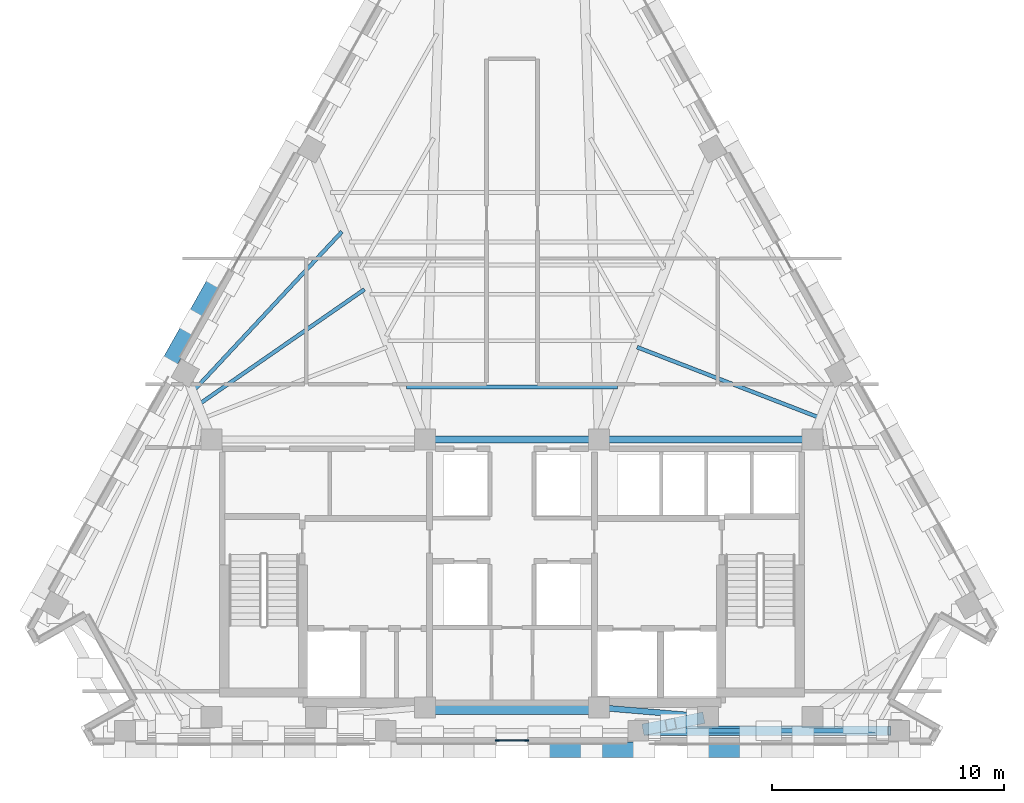
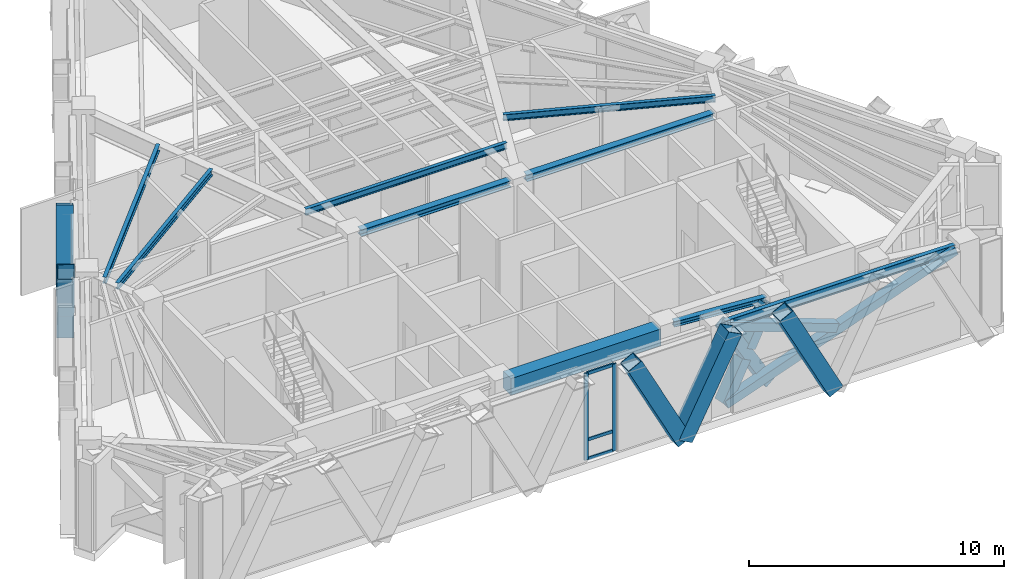
# One storey, part 2 of 11: 15 members, 9 beams, 1 element without a shape of its own.
"""IFC4 building model written with IfcOpenShell, lengths in metres."""

from ifc_helpers import new_model, si_unit, direction, frame, origin, origin_2d, place, context, subcontext, project, spatial, rectangle, hollow_rectangle, i_section, extrude, material, material_profile, profile_set, type_object, element, aggregate, save


model = new_model("IFC4")

# Units and contexts
model_context = context("Model", 3, precision=1e-05, world=origin(), true_north=direction((0.0, 1.0)))
body_context = subcontext(model_context, "Body", "Model", "MODEL_VIEW")
ifc_project = project(units=[si_unit("LENGTHUNIT", "METRE"), si_unit("AREAUNIT", "SQUARE_METRE"), si_unit("VOLUMEUNIT", "CUBIC_METRE"), si_unit("PLANEANGLEUNIT", "RADIAN"), si_unit("MASSUNIT", "GRAM", prefix="KILO")], contexts=[model_context])

# Site, building, storey
site_placement = place(None, origin())
site = spatial("IfcSite", under=ifc_project, at=site_placement, CompositionType="ELEMENT")
building_placement = place(site_placement, origin())
building = spatial("IfcBuilding", under=site, at=building_placement, Name="Quenlor Broadcast Tower", CompositionType="ELEMENT")
storey_placement = place(building_placement, frame((0.0, 0.0, 179.0)))
storey = spatial("IfcBuildingStorey", under=building, at=storey_placement, Name="L49", CompositionType="ELEMENT", Elevation=179.0)

# Members
ifc_material_1 = material(Name="Steel S355", Category="steel")
ifc_material_profile_1 = material_profile(ifc_material_1, hollow_rectangle(XDim=0.39990234375, YDim=0.39990234375, WallThickness=0.02197265625, at=origin_2d()))
ifc_profile_set_1 = profile_set([ifc_material_profile_1], Name="Steel S355 RHS400x400x22")
member_type_1 = type_object("IfcMemberType", Name="Belt Truss Diagonal Chord Steel S355 RHS400x22", PredefinedType="CHORD", material=ifc_profile_set_1)
member_1_placement = place(storey_placement, frame((5.85791015625, -17.35009765625, 0.199951171875), z_axis=(0.941269972622, 0.0, 0.337654910583), x_axis=(0.0, 1.0, 0.0)))
element("IfcMember", 1, at=member_1_placement, inside=storey, type_object=member_type_1, Name="L49 Belt Truss Continuous Chord 3A", PredefinedType="CHORD", context=body_context, shape_type="SweptSolid", body=[
    extrude(hollow_rectangle(XDim=0.39990234375, YDim=0.39990234375, WallThickness=0.02197265625, at=origin_2d()), origin(), (0.0, 0.0, 1.0), 11.046630859375),
])
member_2_placement = place(storey_placement, frame((5.85791015625, -17.35009765625, 3.929931640625), z_axis=(0.941270791113, 0.0, -0.337652628891), x_axis=(0.0, 1.0, 0.0)))
element("IfcMember", 2, at=member_2_placement, inside=storey, type_object=member_type_1, Name="L49 Belt Truss Split Chord 3B1", PredefinedType="CHORD", context=body_context, shape_type="SweptSolid", body=[
    extrude(hollow_rectangle(XDim=0.39990234375, YDim=0.39990234375, WallThickness=0.02197265625, at=origin_2d()), origin(), (0.0, 0.0, 1.0), 5.333251953125),
])

# Curtain wall, members
ifc_material_2 = material(Name="Architectural Terracotta and Low-E Glazing", Category="masonry")
curtain_wall_type = type_object("IfcCurtainWallType", Name="Unitised Terracotta Curtain Wall System Z4", PredefinedType="NOTDEFINED", material=ifc_material_2)
curtain_wall_placement = place(storey_placement, origin())
curtain_wall = element("IfcCurtainWall", 3, at=curtain_wall_placement, inside=storey, type_object=curtain_wall_type, Name="L49 Curtain Wall CW4 (L49-S-G1)", PredefinedType="NOTDEFINED")
ifc_material_3 = material(Name="Aluminium 6063-T6", Category="aluminium")
ifc_material_profile_2 = material_profile(ifc_material_3, rectangle(XDim=0.068115234375, YDim=0.179931640625, at=origin_2d()))
ifc_profile_set_2 = profile_set([ifc_material_profile_2], Name="Aluminium 6063-T6 MULL68x180")
member_type_2 = type_object("IfcMemberType", Name="CW4 Aluminium Mullion MULL_CW4", PredefinedType="MULLION", material=ifc_profile_set_2)
member_3_placement = place(storey_placement, frame((0.637451171875, -17.77490234375, 0.0), z_axis=(0.0, 0.0, 1.0), x_axis=(0.0, -1.0, 0.0)))
member_3 = element("IfcMember", 4, at=member_3_placement, type_object=member_type_2, Name="CW4 mullion 1", PredefinedType="MULLION", context=body_context, shape_type="SweptSolid", body=[
    extrude(rectangle(XDim=0.068115234375, YDim=0.179931640625, at=origin_2d()), origin(), (0.0, 0.0, 1.0), 4.14990234375),
])
member_4_placement = place(storey_placement, frame((-0.637451171875, -17.77490234375, 0.0), z_axis=(0.0, 0.0, 1.0), x_axis=(0.0, -1.0, 0.0)))
member_4 = element("IfcMember", 5, at=member_4_placement, type_object=member_type_2, Name="CW4 mullion 2", PredefinedType="MULLION", context=body_context, shape_type="SweptSolid", body=[
    extrude(rectangle(XDim=0.068115234375, YDim=0.179931640625, at=origin_2d()), origin(), (0.0, 0.0, 1.0), 4.14990234375),
])
ifc_material_4 = material(Name="Aluminium 6063-T6", Category="aluminium")
ifc_material_profile_3 = material_profile(ifc_material_4, rectangle(XDim=0.068115234375, YDim=0.14990234375, at=origin_2d()))
ifc_profile_set_3 = profile_set([ifc_material_profile_3], Name="Aluminium 6063-T6 TRAN68x150")
member_type_3 = type_object("IfcMemberType", Name="CW4 Aluminium Transom TRAN_CW4", PredefinedType="USERDEFINED", material=ifc_profile_set_3)
member_5_placement = place(storey_placement, frame((0.603515625, -17.77490234375, 0.033935546875), z_axis=(-1.0, 0.0, 0.0), x_axis=(0.0, -1.0, 0.0)))
member_5 = element("IfcMember", 6, at=member_5_placement, type_object=member_type_3, Name="CW4 transom 1.1", ObjectType="TRANSOM", PredefinedType="USERDEFINED", context=body_context, shape_type="SweptSolid", body=[
    extrude(rectangle(XDim=0.068115234375, YDim=0.14990234375, at=origin_2d()), origin(), (0.0, 0.0, 1.0), 1.20703125),
])
member_6_placement = place(storey_placement, frame((0.603515625, -17.77490234375, 0.949951171875), z_axis=(-1.0, 0.0, 0.0), x_axis=(0.0, -1.0, 0.0)))
member_6 = element("IfcMember", 7, at=member_6_placement, type_object=member_type_3, Name="CW4 transom 1.2", ObjectType="TRANSOM", PredefinedType="USERDEFINED", context=body_context, shape_type="SweptSolid", body=[
    extrude(rectangle(XDim=0.068115234375, YDim=0.14990234375, at=origin_2d()), origin(), (0.0, 0.0, 1.0), 1.20703125),
])
member_7_placement = place(storey_placement, frame((0.603515625, -17.77490234375, 4.115966796875), z_axis=(-1.0, 0.0, 0.0), x_axis=(0.0, -1.0, 0.0)))
member_7 = element("IfcMember", 8, at=member_7_placement, type_object=member_type_3, Name="CW4 transom 1.3", ObjectType="TRANSOM", PredefinedType="USERDEFINED", context=body_context, shape_type="SweptSolid", body=[
    extrude(rectangle(XDim=0.068115234375, YDim=0.14990234375, at=origin_2d()), origin(), (0.0, 0.0, 1.0), 1.20703125),
])
aggregate(curtain_wall, [member_3, member_4, member_5, member_6, member_7])

# Beams
ifc_material_5 = material(Name="Concrete C50/60", Category="concrete")
ifc_material_profile_4 = material_profile(ifc_material_5, rectangle(XDim=0.60009765625, YDim=0.800048828125, at=origin_2d()))
ifc_profile_set_4 = profile_set([ifc_material_profile_4], Name="Concrete C50/60 RCB600x800")
beam_type_1 = type_object("IfcBeamType", Name="Core Coupling Beam Concrete C50/60 600x800", PredefinedType="BEAM", material=ifc_profile_set_4)
beam_1_placement = place(storey_placement, frame((-3.389892578125, -16.35009765625, 3.75), z_axis=(1.0, 0.0, 0.0), x_axis=(0.0, 1.0, 0.0)))
element("IfcBeam", 9, at=beam_1_placement, inside=storey, type_object=beam_type_1, Name="L49 Core Coupling Beam 6", PredefinedType="BEAM", context=body_context, shape_type="SweptSolid", body=[
    extrude(rectangle(XDim=0.60009765625, YDim=0.800048828125, at=origin_2d()), origin(), (0.0, 0.0, 1.0), 6.77978515625),
])
ifc_material_6 = material(Name="Steel S355", Category="steel")
ifc_material_profile_5 = material_profile(ifc_material_6, i_section(OverallWidth=0.304931640625, OverallDepth=0.30810546875, WebThickness=0.010009765625, FlangeThickness=0.015380859375, FilletRadius=0.0166015625, at=origin_2d()))
ifc_profile_set_5 = profile_set([ifc_material_profile_5], Name="Steel S355 310UC96.8")
beam_type_2 = type_object("IfcBeamType", Name="Core Header Beam Steel S355 310UC96.8", PredefinedType="BEAM", material=ifc_profile_set_5)
beam_2_placement = place(storey_placement, frame((-3.389892578125, -4.800048828125, 3.99609375), z_axis=(1.0, 0.0, 0.0), x_axis=(0.0, 1.0, 0.0)))
element("IfcBeam", 10, at=beam_2_placement, inside=storey, type_object=beam_type_2, Name="L49 Core Header Beam 2", PredefinedType="BEAM", context=body_context, shape_type="SweptSolid", body=[
    extrude(i_section(OverallWidth=0.304931640625, OverallDepth=0.30810546875, WebThickness=0.010009765625, FlangeThickness=0.015380859375, FilletRadius=0.0166015625, at=origin_2d()), origin(), (0.0, 0.0, 1.0), 6.77978515625),
])
ifc_material_7 = material(Name="Steel S355", Category="steel")
ifc_material_profile_6 = material_profile(ifc_material_7, i_section(OverallWidth=0.25390625, OverallDepth=0.25390625, WebThickness=0.008544921875, FlangeThickness=0.01416015625, FilletRadius=0.013916015625, at=origin_2d()))
ifc_profile_set_6 = profile_set([ifc_material_profile_6], Name="Steel S355 250UC72.9")
beam_type_3 = type_object("IfcBeamType", Name="Core Opening Lintel Beam Steel S355 250UC72.9", PredefinedType="LINTEL", material=ifc_profile_set_6)
beam_3_placement = place(storey_placement, frame((4.108642578125, -16.380615234375, 4.023193359375), z_axis=(0.996399763903, -0.084779186679, 0.0), x_axis=(0.084779186679, 0.996399763903, 0.0)))
element("IfcBeam", 11, at=beam_3_placement, inside=storey, type_object=beam_type_3, Name="L49 Core Opening Lintel Beam 5", PredefinedType="LINTEL", context=body_context, shape_type="SweptSolid", body=[
    extrude(i_section(OverallWidth=0.25390625, OverallDepth=0.25390625, WebThickness=0.008544921875, FlangeThickness=0.01416015625, FilletRadius=0.013916015625, at=origin_2d()), origin(), (0.0, 0.0, 1.0), 3.9970703125),
])
ifc_material_8 = material(Name="Steel S355", Category="steel")
ifc_material_profile_7 = material_profile(ifc_material_8, i_section(OverallWidth=0.306884765625, OverallDepth=0.314697265625, WebThickness=0.011962890625, FlangeThickness=0.018798828125, FilletRadius=0.0166015625, at=origin_2d()))
ifc_profile_set_7 = profile_set([ifc_material_profile_7], Name="Steel S355 310UC118")
beam_type_4 = type_object("IfcBeamType", Name="Core Tie Beam Steel S355 310UC118", PredefinedType="BEAM", material=ifc_profile_set_7)
beam_4_placement = place(storey_placement, frame((4.110107421875, -4.800048828125, 3.99267578125), z_axis=(1.0, 0.0, 0.0), x_axis=(0.0, 1.0, 0.0)))
element("IfcBeam", 12, at=beam_4_placement, inside=storey, type_object=beam_type_4, Name="L49 Core Tie Beam 3", PredefinedType="BEAM", context=body_context, shape_type="SweptSolid", body=[
    extrude(i_section(OverallWidth=0.306884765625, OverallDepth=0.314697265625, WebThickness=0.011962890625, FlangeThickness=0.018798828125, FilletRadius=0.0166015625, at=origin_2d()), origin(), (0.0, 0.0, 1.0), 8.47998046875),
])

# Members
ifc_material_9 = material(Name="Steel S355", Category="steel")
ifc_material_profile_8 = material_profile(ifc_material_9, hollow_rectangle(XDim=0.679931640625, YDim=0.679931640625, WallThickness=0.02490234375, at=origin_2d()))
ifc_profile_set_8 = profile_set([ifc_material_profile_8], Name="Steel S355 RHS680x680x25")
member_type_4 = type_object("IfcMemberType", Name="Perimeter Diagonal Lattice Brace Z3-Z4 Steel S355 RHS680x25", PredefinedType="BRACE", material=ifc_profile_set_8)
for number, where, z_axis, x_axis, name in (
    (13, (10.261962890625, -18.169921875, -0.1201171875), (-0.456255502185, 0.0, 0.889848816781), (0.0, -1.0, 0.0), "L49 Perimeter Diamond Lattice S-C2S"),
    (14, (3.43896484375, -18.169921875, -0.1201171875), (0.456255502185, 0.0, 0.889848816781), (0.0, 1.0, 0.0), "L49 Perimeter Diamond Lattice S-C2B"),
    (15, (3.41162109375, -18.169921875, -0.1201171875), (-0.456255502185, 0.0, 0.889848816781), (0.0, -1.0, 0.0), "L49 Perimeter Diamond Lattice S-C3S"),
):
    element("IfcMember", number, at=place(storey_placement, frame(where, z_axis=z_axis, x_axis=x_axis)), inside=storey, type_object=member_type_4, Name=name, PredefinedType="BRACE", context=body_context, shape_type="SweptSolid", body=[
        extrude(hollow_rectangle(XDim=0.679931640625, YDim=0.679931640625, WallThickness=0.02490234375, at=origin_2d()), origin(), (0.0, 0.0, 1.0), 4.94482421875),
    ])
for number, where, z_axis, x_axis, name in (
    (16, (-13.794677734375, 0.22314453125, -0.1201171875), (-0.227346624293, -0.404259165014, 0.885939072355), (0.871620820774, -0.490180726664, 0.0), "L49 Perimeter Diamond Lattice NW-C2B"),
    (17, (-13.781005859375, 0.24755859375, -0.1201171875), (0.227397757303, 0.404213523195, 0.885946774722), (-0.871550060774, 0.49030652817, 0.0), "L49 Perimeter Diamond Lattice NW-C3S"),
):
    element("IfcMember", number, at=place(storey_placement, frame(where, z_axis=z_axis, x_axis=x_axis)), inside=storey, type_object=member_type_4, Name=name, PredefinedType="BRACE", context=body_context, shape_type="SweptSolid", body=[
        extrude(hollow_rectangle(XDim=0.679931640625, YDim=0.679931640625, WallThickness=0.02490234375, at=origin_2d()), origin(), (0.0, 0.0, 1.0), 4.966552734375),
    ])

# Beams
ifc_material_10 = material(Name="Steel S355", Category="steel")
ifc_material_profile_9 = material_profile(ifc_material_10, i_section(OverallWidth=0.18994140625, OverallDepth=0.453857421875, WebThickness=0.008544921875, FlangeThickness=0.0126953125, FilletRadius=0.011474609375, at=origin_2d()))
ifc_profile_set_9 = profile_set([ifc_material_profile_9], Name="Steel S355 460UB67.1")
beam_type_5 = type_object("IfcBeamType", Name="Perimeter Spandrel Beam Z4 Steel S355 460UB67.1", PredefinedType="SPANDREL", material=ifc_profile_set_9)
beam_5_placement = place(storey_placement, frame((5.847900390625, -17.35009765625, 3.923095703125), z_axis=(1.0, 0.0, 0.0), x_axis=(0.0, 1.0, 0.0)))
element("IfcBeam", 18, at=beam_5_placement, inside=storey, type_object=beam_type_5, Name="L49 Spandrel Beam S3-S4", PredefinedType="SPANDREL", context=body_context, shape_type="SweptSolid", body=[
    extrude(i_section(OverallWidth=0.18994140625, OverallDepth=0.453857421875, WebThickness=0.008544921875, FlangeThickness=0.0126953125, FilletRadius=0.011474609375, at=origin_2d()), origin(), (0.0, 0.0, 1.0), 10.41796875),
])
ifc_material_11 = material(Name="Steel S355", Category="steel")
ifc_material_profile_10 = material_profile(ifc_material_11, i_section(OverallWidth=0.166015625, OverallDepth=0.30712890625, WebThickness=0.006591796875, FlangeThickness=0.01171875, FilletRadius=0.011474609375, at=origin_2d()))
ifc_profile_set_10 = profile_set([ifc_material_profile_10], Name="Steel S355 310UB46.2")
beam_type_6 = type_object("IfcBeamType", Name="Tower Composite Joist Z4-Z5 Steel S355 310UB46.2", PredefinedType="JOIST", material=ifc_profile_set_10)
beam_6_placement = place(storey_placement, frame((-4.550048828125, -2.54736328125, 3.996337890625), z_axis=(1.0, 0.0, 0.0), x_axis=(0.0, 1.0, 0.0)))
element("IfcBeam", 19, at=beam_6_placement, inside=storey, type_object=beam_type_6, Name="L49 Secondary Composite Joist 1", PredefinedType="JOIST", context=body_context, shape_type="SweptSolid", body=[
    extrude(i_section(OverallWidth=0.166015625, OverallDepth=0.30712890625, WebThickness=0.006591796875, FlangeThickness=0.01171875, FilletRadius=0.011474609375, at=origin_2d()), origin(), (0.0, 0.0, 1.0), 9.10009765625),
])
beam_7_placement = place(storey_placement, frame((-13.470458984375, -3.273681640625, 3.996337890625), z_axis=(0.821539857981, 0.570151086773, 0.0), x_axis=(-0.570151086773, 0.821539857981, 0.0)))
element("IfcBeam", 20, at=beam_7_placement, inside=storey, type_object=beam_type_6, Name="L49 Secondary Composite Joist 8", PredefinedType="JOIST", context=body_context, shape_type="SweptSolid", body=[
    extrude(i_section(OverallWidth=0.166015625, OverallDepth=0.30712890625, WebThickness=0.006591796875, FlangeThickness=0.01171875, FilletRadius=0.011474609375, at=origin_2d()), origin(), (0.0, 0.0, 1.0), 8.656982421875),
])
beam_8_placement = place(storey_placement, frame((-13.707275390625, -2.691162109375, 3.996337890625), z_axis=(0.682034672805, 0.731319837754, 0.0), x_axis=(-0.731319837754, 0.682034672805, 0.0)))
element("IfcBeam", 21, at=beam_8_placement, inside=storey, type_object=beam_type_6, Name="L49 Secondary Composite Joist 9", PredefinedType="JOIST", context=body_context, shape_type="SweptSolid", body=[
    extrude(i_section(OverallWidth=0.166015625, OverallDepth=0.30712890625, WebThickness=0.006591796875, FlangeThickness=0.01171875, FilletRadius=0.011474609375, at=origin_2d()), origin(), (0.0, 0.0, 1.0), 9.357421875),
])
beam_9_placement = place(storey_placement, frame((13.236083984375, -3.85986328125, 3.996337890625), z_axis=(-0.932639299023, 0.360810113381, 0.0), x_axis=(-0.360810113381, -0.932639299023, 0.0)))
element("IfcBeam", 22, at=beam_9_placement, inside=storey, type_object=beam_type_6, Name="L49 Secondary Composite Joist 10", PredefinedType="JOIST", context=body_context, shape_type="SweptSolid", body=[
    extrude(i_section(OverallWidth=0.166015625, OverallDepth=0.30712890625, WebThickness=0.006591796875, FlangeThickness=0.01171875, FilletRadius=0.011474609375, at=origin_2d()), origin(), (0.0, 0.0, 1.0), 8.413330078125),
])

# Members
ifc_material_12 = material(Name="Steel S355", Category="steel")
ifc_material_profile_11 = material_profile(ifc_material_12, hollow_rectangle(XDim=0.5, YDim=0.5, WallThickness=0.028076171875, at=origin_2d()))
ifc_profile_set_11 = profile_set([ifc_material_profile_11], Name="Steel S355 RHS500x500x28")
member_type_5 = type_object("IfcMemberType", Name="Upper Outrigger Truss Strut Steel S355 RHS500x28", PredefinedType="STRUT", material=ifc_profile_set_11)
member_8_placement = place(storey_placement, frame((8.0576171875, -16.828125, 0.199951171875), z_axis=(-0.50679717214, -0.100978383923, 0.856130826621), x_axis=(0.195407059707, -0.980722224188, 0.0)))
element("IfcMember", 23, at=member_8_placement, inside=storey, type_object=member_type_5, Name="L49 Outrigger Continuous Strut 4A", PredefinedType="STRUT", context=body_context, shape_type="SweptSolid", body=[
    extrude(hollow_rectangle(XDim=0.5, YDim=0.5, WallThickness=0.028076171875, at=origin_2d()), origin(), (0.0, 0.0, 1.0), 4.356689453125),
])
member_9_placement = place(storey_placement, frame((8.0576171875, -16.828125, 3.929931640625), z_axis=(-0.506769320618, -0.101002985267, -0.856144411094), x_axis=(0.195463179726, -0.98071104071, 0.0)))
element("IfcMember", 24, at=member_9_placement, inside=storey, type_object=member_type_5, Name="L49 Outrigger Split Strut 4B1", PredefinedType="STRUT", context=body_context, shape_type="SweptSolid", body=[
    extrude(hollow_rectangle(XDim=0.5, YDim=0.5, WallThickness=0.028076171875, at=origin_2d()), origin(), (0.0, 0.0, 1.0), 1.9482421875),
])
member_10_placement = place(storey_placement, frame((6.837158203125, -17.0712890625, 1.8681640625), z_axis=(-0.506808075162, -0.100985737597, -0.856123504964), x_axis=(0.195416703087, -0.980720302714, 0.0)))
element("IfcMember", 25, at=member_10_placement, inside=storey, type_object=member_type_5, Name="L49 Outrigger Split Strut 4B2", PredefinedType="STRUT", context=body_context, shape_type="SweptSolid", body=[
    extrude(hollow_rectangle(XDim=0.5, YDim=0.5, WallThickness=0.028076171875, at=origin_2d()), origin(), (0.0, 0.0, 1.0), 1.948486328125),
])

save(model, "model.ifc")
